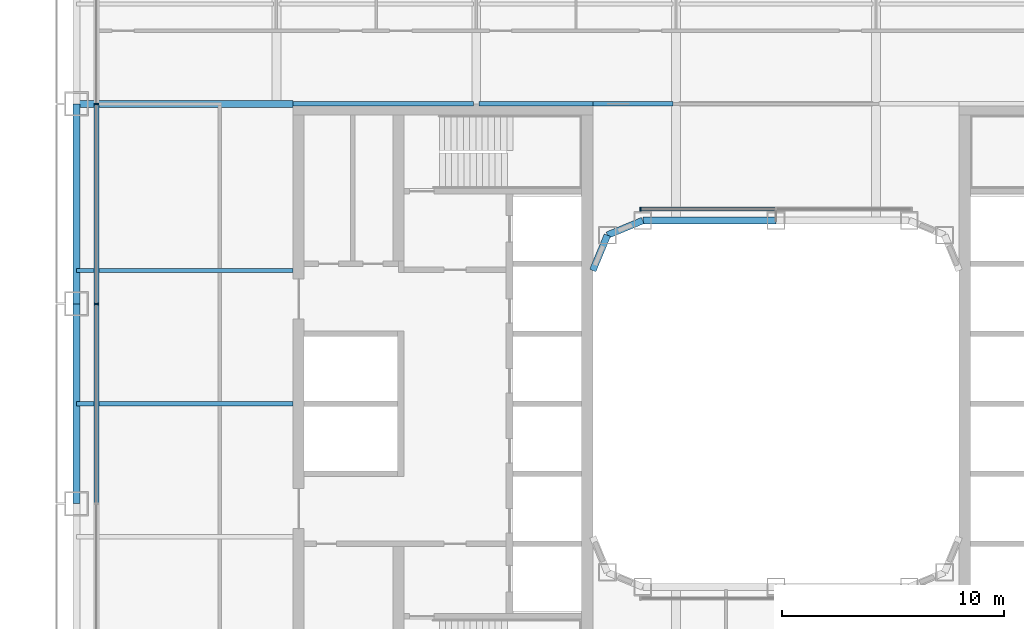
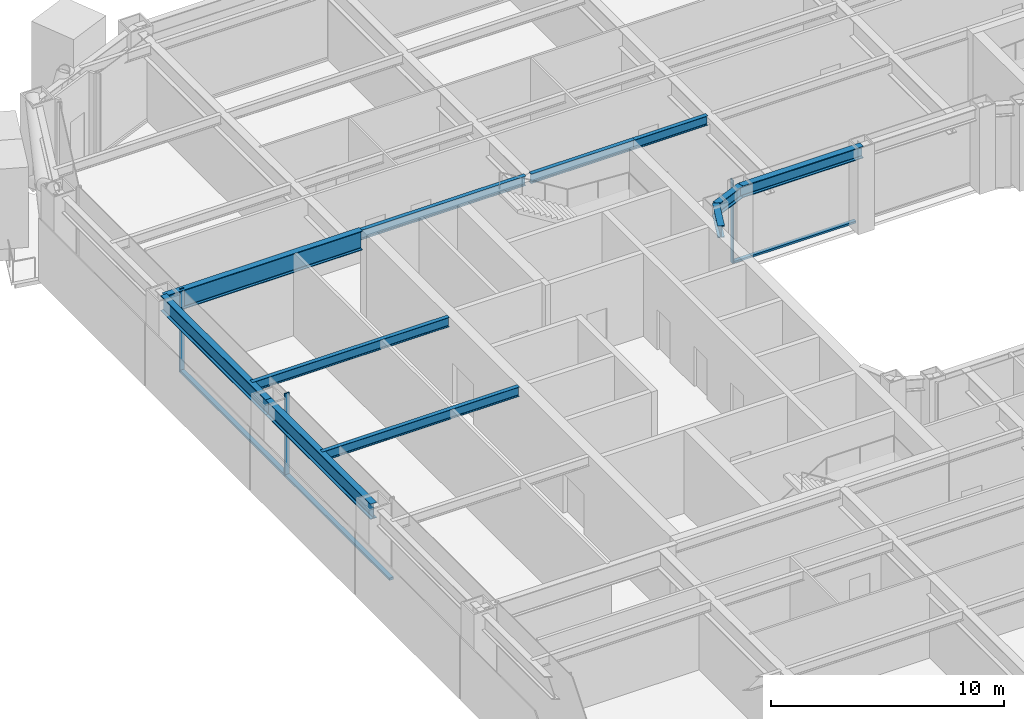
# One storey, part 6 of 29: 11 beams, 6 members, 2 elements without a shape of their own.
"""IFC4 building model written with IfcOpenShell, lengths in metres."""

import ifcopenshell
import ifcopenshell.guid

model = None  # the IFC model being written
_history = None  # IfcOwnerHistory: only IFC2X3 demands one
_inside = {}  # id of a spatial element -> (the spatial element, [elements in it])
_under = {}  # id of a project, library or spatial element -> (it, [spatial elements below it])
_declared = {}  # id of a project -> (the project, [libraries it declares])
_typed = {}  # id of a type object -> (the type object, [elements of that type])
_made_of = {}  # id of a material, layer set ... -> (it, [elements and type objects made of it])


def new_model(schema):
    """Start an empty IFC model of exactly this schema.

    Asked for "IFC4X3", IfcOpenShell would pick the latest addendum, in which some entities
    have other attributes; the version numbers below select the first issue.
    IFC2X3 requires an IfcOwnerHistory on every rooted entity: one is made here for all.
    """
    global model, _history
    if schema == "IFC4X3":
        model = ifcopenshell.file(schema_version=(4, 3, 0, 0))
    else:
        model = ifcopenshell.file(schema=schema)
    _inside.clear()
    _under.clear()
    _declared.clear()
    _typed.clear()
    _made_of.clear()
    _history = None
    if model.schema == "IFC2X3":
        org = make("IfcOrganization", Name="unknown")
        user = make(
            "IfcPersonAndOrganization",
            ThePerson=make("IfcPerson", FamilyName="unknown"),
            TheOrganization=org,
        )
        app = make(
            "IfcApplication",
            ApplicationDeveloper=org,
            Version="unknown",
            ApplicationFullName="unknown",
            ApplicationIdentifier="unknown",
        )
        _history = make(
            "IfcOwnerHistory",
            OwningUser=user,
            OwningApplication=app,
            ChangeAction="ADDED",
            CreationDate=0,
        )
    return model


def make(cls, **values):
    """One entity of the class cls with the attributes given. An attribute that is None is left unset."""
    return model.create_entity(
        cls, **{name: value for name, value in values.items() if value is not None}
    )


def rooted(cls, **values):
    """An entity with a GlobalId (a new one), such as an element, a storey or a relation."""
    return make(cls, GlobalId=ifcopenshell.guid.new(), OwnerHistory=_history, **values)


def si_unit(unit_type, name, prefix=None):
    """IfcSIUnit, for example si_unit("LENGTHUNIT", "METRE", prefix="MILLI")."""
    return make("IfcSIUnit", UnitType=unit_type, Prefix=prefix, Name=name)


def assignment(units):
    """IfcUnitAssignment: the units of a project."""
    return None if units is None else make("IfcUnitAssignment", Units=units)


def point(xyz):
    """IfcCartesianPoint."""
    return None if xyz is None else make("IfcCartesianPoint", Coordinates=xyz)


def direction(xyz):
    """IfcDirection."""
    return None if xyz is None else make("IfcDirection", DirectionRatios=xyz)


def frame(location, z_axis=None, x_axis=None):
    """IfcAxis2Placement3D, a coordinate frame: its origin and axes. An axis left out is left unset."""
    return make(
        "IfcAxis2Placement3D",
        Location=point(location),
        Axis=direction(z_axis),
        RefDirection=direction(x_axis),
    )


def frame_2d(location, x_axis=None):
    """IfcAxis2Placement2D, a coordinate frame in the plane: its origin and x axis."""
    return make(
        "IfcAxis2Placement2D", Location=point(location), RefDirection=direction(x_axis)
    )


def origin():
    """The frame at (0, 0, 0) with its axes left unset."""
    return frame((0.0, 0.0, 0.0))


def origin_2d():
    """The frame at (0, 0) in the plane with its x axis left unset."""
    return frame_2d((0.0, 0.0))


def place(relative_to, where):
    """IfcLocalPlacement: puts the frame where relative to a parent placement (None: the world)."""
    return make(
        "IfcLocalPlacement", PlacementRelTo=relative_to, RelativePlacement=where
    )


def context(
    kind, dimensions, precision=None, world=None, true_north=None, identifier=None
):
    """IfcGeometricRepresentationContext, for example the 3D "Model" context."""
    return make(
        "IfcGeometricRepresentationContext",
        ContextIdentifier=identifier,
        ContextType=kind,
        CoordinateSpaceDimension=dimensions,
        Precision=precision,
        WorldCoordinateSystem=world,
        TrueNorth=true_north,
    )


def subcontext(parent, identifier, kind, view, scale=None):
    """IfcGeometricRepresentationSubContext, for example "Body" below "Model"."""
    return make(
        "IfcGeometricRepresentationSubContext",
        ContextIdentifier=identifier,
        ContextType=kind,
        ParentContext=parent,
        TargetScale=scale,
        TargetView=view,
    )


def project(units=None, contexts=None):
    """IfcProject with its units and contexts."""
    return rooted(
        "IfcProject",
        Name="project",
        RepresentationContexts=contexts,
        UnitsInContext=assignment(units),
    )


def spatial(cls, under=None, at=None, **own):
    """A site, building, storey or space (cls), placed at a placement, below another one or the project."""
    s = rooted(cls, ObjectPlacement=at, **own)
    if under is not None:
        _under.setdefault(under.id(), (under, []))[1].append(s)
    return s


def profile(cls, at=None, kind="AREA", **sizes):
    """A parametric profile (cls). Its sizes go by their IFC names, for example OverallWidth=200.0."""
    return make(cls, ProfileType=kind, Position=at, **sizes)


def rectangle(**sizes):
    """IfcRectangleProfileDef."""
    return profile("IfcRectangleProfileDef", **sizes)


def i_section(**sizes):
    """IfcIShapeProfileDef."""
    return profile("IfcIShapeProfileDef", **sizes)


def extrude(swept, where, along, depth):
    """IfcExtrudedAreaSolid: the profile swept, set in the frame where, extruded along a direction by depth."""
    return make(
        "IfcExtrudedAreaSolid",
        SweptArea=swept,
        Position=where,
        ExtrudedDirection=direction(along),
        Depth=depth,
    )


def shape(context_of_items, identifier, shape_type, items):
    """IfcShapeRepresentation: the items that make up one representation, for example the "Body"."""
    return make(
        "IfcShapeRepresentation",
        ContextOfItems=context_of_items,
        RepresentationIdentifier=identifier,
        RepresentationType=shape_type,
        Items=items,
    )


def material(Name=None, Category=None):
    """IfcMaterial."""
    return make("IfcMaterial", Name=Name, Category=Category)


def layer(
    of_material, thickness, ventilated=None, Name=None, Category=None, Priority=None
):
    """IfcMaterialLayer: one layer of a wall or slab, of a material (None: an air gap)."""
    return make(
        "IfcMaterialLayer",
        Material=of_material,
        LayerThickness=thickness,
        IsVentilated=ventilated,
        Name=Name,
        Category=Category,
        Priority=Priority,
    )


def layer_set(layers, Name=None):
    """IfcMaterialLayerSet."""
    return make("IfcMaterialLayerSet", MaterialLayers=layers, LayerSetName=Name)


def material_profile(
    of_material, cross_section, Name=None, Category=None, Priority=None
):
    """IfcMaterialProfile: a cross section and its material."""
    return make(
        "IfcMaterialProfile",
        Name=Name,
        Material=of_material,
        Profile=cross_section,
        Priority=Priority,
        Category=Category,
    )


def profile_set(profiles, Name=None, composite=None):
    """IfcMaterialProfileSet."""
    return make(
        "IfcMaterialProfileSet",
        Name=Name,
        MaterialProfiles=profiles,
        CompositeProfile=composite,
    )


def made_of(thing, what):
    """Note that an element or type object is made of a material, layer set ...; save() writes the relation."""
    if what is not None:
        _made_of.setdefault(what.id(), (what, []))[1].append(thing)
    return thing


def type_object(cls, material=None, **own):
    """A type object (cls), such as IfcWallType, which elements share."""
    return made_of(rooted(cls, **own), material)


def element(
    cls,
    number,
    at=None,
    inside=None,
    cuts=None,
    type_object=None,
    material=None,
    context=None,
    identifier="Body",
    shape_type=None,
    held_by="IfcProductDefinitionShape",
    body=None,
    shapes=None,
    **own,
):
    """One element of the class cls, such as IfcWall. Its Tag is "e" and its number.

    at: its placement. inside: the storey or other place that contains it. cuts: it is an
    opening in that element (IfcRelVoidsElement). A single representation is given by context,
    identifier, shape_type and body (its items); several are given by shapes. held_by: the class
    of the entity that holds the representations. save() writes the other relations.
    """
    e = rooted(cls, Tag="e%d" % number, ObjectPlacement=at, **own)
    if body is not None:
        shapes = [shape(context, identifier, shape_type, body)]
    if shapes is not None:
        e.Representation = make(held_by, Representations=shapes)
    if inside is not None:
        _inside.setdefault(inside.id(), (inside, []))[1].append(e)
    if cuts is not None:
        rooted(
            "IfcRelVoidsElement", RelatingBuildingElement=cuts, RelatedOpeningElement=e
        )
    if type_object is not None:
        _typed.setdefault(type_object.id(), (type_object, []))[1].append(e)
    return made_of(e, material)


def aggregate(whole, parts):
    """IfcRelAggregates: a whole, such as a stair, and the parts it consists of."""
    return rooted("IfcRelAggregates", RelatingObject=whole, RelatedObjects=parts)


def save(model, path):
    """Write the relations noted so far, then the file.

    IfcRelAggregates (storeys below a building ...), IfcRelContainedInSpatialStructure (elements
    in a storey), IfcRelDefinesByType, IfcRelAssociatesMaterial and IfcRelDeclares: one each for
    every whole, place, type object, material and project.
    """
    for whole, parts in _under.values():
        aggregate(whole, parts)
    for where, things in _inside.values():
        rooted(
            "IfcRelContainedInSpatialStructure",
            RelatedElements=things,
            RelatingStructure=where,
        )
    for kind, things in _typed.values():
        rooted("IfcRelDefinesByType", RelatedObjects=things, RelatingType=kind)
    for what, things in _made_of.values():
        rooted("IfcRelAssociatesMaterial", RelatedObjects=things, RelatingMaterial=what)
    for by, libraries in _declared.values():
        rooted("IfcRelDeclares", RelatingContext=by, RelatedDefinitions=libraries)
    model.write(path)


model = new_model("IFC4")

# Units and contexts
model_context = context("Model", 3, precision=1e-05, world=origin(), true_north=direction((0.0, 1.0)))
body_context = subcontext(model_context, "Body", "Model", "MODEL_VIEW")
ifc_project = project(units=[si_unit("LENGTHUNIT", "METRE"), si_unit("AREAUNIT", "SQUARE_METRE"), si_unit("VOLUMEUNIT", "CUBIC_METRE"), si_unit("PLANEANGLEUNIT", "RADIAN"), si_unit("MASSUNIT", "GRAM", prefix="KILO")], contexts=[model_context])

# Site, building, storey
site_placement = place(None, origin())
site = spatial("IfcSite", under=ifc_project, at=site_placement, CompositionType="ELEMENT")
building_placement = place(site_placement, origin())
building = spatial("IfcBuilding", under=site, at=building_placement, Name="Siwar Civic Tower", CompositionType="ELEMENT")
storey_placement = place(building_placement, frame((0.0, 0.0, 49.199951171875)))
storey = spatial("IfcBuildingStorey", under=building, at=storey_placement, Name="L10", CompositionType="ELEMENT", Elevation=49.199951171875)

# Curtain wall, members
ifc_material_1 = material(Name="Aluminium and glass", Category="aluminium")
ifc_layer_1 = layer(ifc_material_1, 0.219970703125)
ifc_layer_set_1 = layer_set([ifc_layer_1], Name="Aluminium and glass")
curtain_wall_type_1 = type_object("IfcCurtainWallType", Name="ENV-CW-A", PredefinedType="NOTDEFINED", material=ifc_layer_set_1)
curtain_wall_1_placement = place(storey_placement, origin())
curtain_wall_1 = element("IfcCurtainWall", 1, at=curtain_wall_1_placement, inside=storey, type_object=curtain_wall_type_1, Name="Curtain wall A W", PredefinedType="NOTDEFINED")
ifc_material_2 = material(Name="Aluminium 6063-T6", Category="aluminium")
ifc_material_profile_1 = material_profile(ifc_material_2, rectangle(XDim=0.219970703125, YDim=0.070068359375, at=origin_2d()), Name="AL 220x70")
ifc_profile_set_1 = profile_set([ifc_material_profile_1], Name="Aluminium 6063-T6")
member_type_1 = type_object("IfcMemberType", Name="ENV-MULLION-A", PredefinedType="MULLION", material=ifc_profile_set_1)
member_1_placement = place(storey_placement, frame((-30.60009765625, 13.5, 0.0), z_axis=(0.0, 0.0, 1.0), x_axis=(1.0, 0.0, 0.0)))
member_1 = element("IfcMember", 2, at=member_1_placement, type_object=member_type_1, Name="Mullion A W 2", PredefinedType="MULLION", context=body_context, shape_type="SweptSolid", body=[
    extrude(rectangle(XDim=0.219970703125, YDim=0.070068359375, at=origin_2d()), origin(), (0.0, 0.0, 1.0), 4.35009765625),
])
member_2_placement = place(storey_placement, frame((-30.60009765625, 4.5, 0.0), z_axis=(0.0, 0.0, 1.0), x_axis=(1.0, 0.0, 0.0)))
member_2 = element("IfcMember", 3, at=member_2_placement, type_object=member_type_1, Name="Mullion A W 3", PredefinedType="MULLION", context=body_context, shape_type="SweptSolid", body=[
    extrude(rectangle(XDim=0.219970703125, YDim=0.070068359375, at=origin_2d()), origin(), (0.0, 0.0, 1.0), 4.35009765625),
])

# Curtain wall, member
ifc_material_3 = material(Name="Aluminium and glass", Category="aluminium")
ifc_layer_2 = layer(ifc_material_3, 0.179931640625)
ifc_layer_set_2 = layer_set([ifc_layer_2], Name="Aluminium and glass")
curtain_wall_type_2 = type_object("IfcCurtainWallType", Name="ENV-CW-W", PredefinedType="NOTDEFINED", material=ifc_layer_set_2)
curtain_wall_2_placement = place(storey_placement, origin())
curtain_wall_2 = element("IfcCurtainWall", 4, at=curtain_wall_2_placement, inside=storey, type_object=curtain_wall_type_2, Name="Curtain wall W WN", PredefinedType="NOTDEFINED")
ifc_material_4 = material(Name="Aluminium 6063-T6", Category="aluminium")
ifc_material_profile_2 = material_profile(ifc_material_4, rectangle(XDim=0.179931640625, YDim=0.06005859375, at=origin_2d()), Name="AL 180x60")
ifc_profile_set_2 = profile_set([ifc_material_profile_2], Name="Aluminium 6063-T6")
member_type_2 = type_object("IfcMemberType", Name="ENV-MULLION-W", PredefinedType="MULLION", material=ifc_profile_set_2)
member_3_placement = place(storey_placement, frame((-6.1015625, 8.760009765625, 0.0), z_axis=(0.0, 0.0, 1.0), x_axis=(0.0, -1.0, 0.0)))
member_3 = element("IfcMember", 5, at=member_3_placement, type_object=member_type_2, Name="Mullion W WN 3", PredefinedType="MULLION", context=body_context, shape_type="SweptSolid", body=[
    extrude(rectangle(XDim=0.179931640625, YDim=0.06005859375, at=origin_2d()), origin(), (0.0, 0.0, 1.0), 4.35009765625),
])

# Member
ifc_material_5 = material(Name="Aluminium 6063-T6", Category="aluminium")
ifc_material_profile_3 = material_profile(ifc_material_5, rectangle(XDim=0.219970703125, YDim=0.1201171875, at=origin_2d()), Name="AL 220x120")
ifc_profile_set_3 = profile_set([ifc_material_profile_3], Name="Aluminium 6063-T6")
member_type_3 = type_object("IfcMemberType", Name="ENV-TRANSOM-A", PredefinedType="USERDEFINED", material=ifc_profile_set_3)
member_4_placement = place(storey_placement, frame((-30.60009765625, 13.465087890625, 0.06005859375), z_axis=(0.0, -1.0, 0.0), x_axis=(1.0, 0.0, 0.0)))
member_4 = element("IfcMember", 6, at=member_4_placement, type_object=member_type_3, Name="Transom A W 2", ObjectType="TRANSOM", PredefinedType="USERDEFINED", context=body_context, shape_type="SweptSolid", body=[
    extrude(rectangle(XDim=0.219970703125, YDim=0.1201171875, at=origin_2d()), origin(), (0.0, 0.0, 1.0), 8.93017578125),
])

member_5_placement = place(storey_placement, frame((-30.60009765625, 4.465087890625, 0.06005859375), z_axis=(0.0, -1.0, 0.0), x_axis=(1.0, 0.0, 0.0)))
member_5 = element("IfcMember", 7, at=member_5_placement, type_object=member_type_3, Name="Transom A W 3", ObjectType="TRANSOM", PredefinedType="USERDEFINED", context=body_context, shape_type="SweptSolid", body=[
    extrude(rectangle(XDim=0.219970703125, YDim=0.1201171875, at=origin_2d()), origin(), (0.0, 0.0, 1.0), 8.93017578125),
])

aggregate(curtain_wall_1, [member_1, member_2, member_4, member_5])

ifc_material_6 = material(Name="Aluminium 6063-T6", Category="aluminium")
ifc_material_profile_4 = material_profile(ifc_material_6, rectangle(XDim=0.179931640625, YDim=0.10009765625, at=origin_2d()), Name="AL 180x100")
ifc_profile_set_4 = profile_set([ifc_material_profile_4], Name="Aluminium 6063-T6")
member_type_4 = type_object("IfcMemberType", Name="ENV-TRANSOM-W", PredefinedType="USERDEFINED", material=ifc_profile_set_4)
member_6_placement = place(storey_placement, frame((-0.030029296875, 8.760009765625, 0.050048828125), z_axis=(-1.0, 0.0, 0.0), x_axis=(0.0, -1.0, 0.0)))
member_6 = element("IfcMember", 8, at=member_6_placement, type_object=member_type_4, Name="Transom W WN 2", ObjectType="TRANSOM", PredefinedType="USERDEFINED", context=body_context, shape_type="SweptSolid", body=[
    extrude(rectangle(XDim=0.179931640625, YDim=0.10009765625, at=origin_2d()), origin(), (0.0, 0.0, 1.0), 6.04150390625),
])

aggregate(curtain_wall_2, [member_3, member_6])

# Beams
ifc_material_7 = material(Name="Steel S355", Category="steel")
ifc_material_profile_5 = material_profile(ifc_material_7, i_section(OverallWidth=0.199951171875, OverallDepth=0.5, WebThickness=0.01025390625, FlangeThickness=0.01611328125, FilletRadius=0.02099609375, at=origin_2d()), Name="IPE500")
ifc_profile_set_5 = profile_set([ifc_material_profile_5], Name="Steel S355")
beam_type_1 = type_object("IfcBeamType", Name="STR-FB-IPE500", PredefinedType="JOIST", material=ifc_profile_set_5)
for number, where, z_axis, x_axis, name in (
    (9, (-31.5, 0.0, 4.10009765625), (1.0, 0.0, 0.0), (0.0, 1.0, 0.0), "L10/bm/F033"),
    (10, (-31.5, 6.0, 4.10009765625), (1.0, 0.0, 0.0), (0.0, 1.0, 0.0), "L10/bm/F035"),
):
    element("IfcBeam", number, at=place(storey_placement, frame(where, z_axis=z_axis, x_axis=x_axis)), inside=storey, type_object=beam_type_1, Name=name, PredefinedType="JOIST", context=body_context, shape_type="SweptSolid", body=[
        extrude(i_section(OverallWidth=0.199951171875, OverallDepth=0.5, WebThickness=0.01025390625, FlangeThickness=0.01611328125, FilletRadius=0.02099609375, at=origin_2d()), origin(), (0.0, 0.0, 1.0), 9.75),
    ])
beam_1_placement = place(storey_placement, frame((-21.75, 13.5, 4.10009765625), z_axis=(1.0, 0.0, 0.0), x_axis=(0.0, 1.0, 0.0)))
element("IfcBeam", 11, at=beam_1_placement, inside=storey, type_object=beam_type_1, Name="L10/bm/F038", PredefinedType="JOIST", context=body_context, shape_type="SweptSolid", body=[
    extrude(i_section(OverallWidth=0.199951171875, OverallDepth=0.5, WebThickness=0.01025390625, FlangeThickness=0.01611328125, FilletRadius=0.02099609375, at=origin_2d()), origin(), (0.0, 0.0, 1.0), 8.1201171875),
])
beam_2_placement = place(storey_placement, frame((-13.3701171875, 13.5, 4.10009765625), z_axis=(1.0, 0.0, 0.0), x_axis=(0.0, 1.0, 0.0)))
element("IfcBeam", 12, at=beam_2_placement, inside=storey, type_object=beam_type_1, Name="L10/bm/F039", PredefinedType="JOIST", context=body_context, shape_type="SweptSolid", body=[
    extrude(i_section(OverallWidth=0.199951171875, OverallDepth=0.5, WebThickness=0.01025390625, FlangeThickness=0.01611328125, FilletRadius=0.02099609375, at=origin_2d()), origin(), (0.0, 0.0, 1.0), 5.1201171875),
])
beam_3_placement = place(storey_placement, frame((-8.25, 13.5, 4.10009765625), z_axis=(1.0, 0.0, 0.0), x_axis=(0.0, 1.0, 0.0)))
element("IfcBeam", 13, at=beam_3_placement, inside=storey, type_object=beam_type_1, Name="L10/bm/F040", PredefinedType="JOIST", context=body_context, shape_type="SweptSolid", body=[
    extrude(i_section(OverallWidth=0.199951171875, OverallDepth=0.5, WebThickness=0.01025390625, FlangeThickness=0.01611328125, FilletRadius=0.02099609375, at=origin_2d()), origin(), (0.0, 0.0, 1.0), 3.6201171875),
])
ifc_material_8 = material(Name="Steel S355", Category="steel")
ifc_material_profile_6 = material_profile(ifc_material_8, i_section(OverallWidth=0.300048828125, OverallDepth=1.0, WebThickness=0.01904296875, FlangeThickness=0.035888671875, FilletRadius=0.030029296875, at=origin_2d()), Name="HEB1000")
ifc_profile_set_6 = profile_set([ifc_material_profile_6], Name="Steel S355")
beam_type_2 = type_object("IfcBeamType", Name="STR-PG-HEB1000", PredefinedType="BEAM", material=ifc_profile_set_6)
beam_4_placement = place(storey_placement, frame((-31.5, 13.5, 3.85009765625), z_axis=(1.0, 0.0, 0.0), x_axis=(0.0, 1.0, 0.0)))
element("IfcBeam", 14, at=beam_4_placement, inside=storey, type_object=beam_type_2, Name="L10/bm/F037", PredefinedType="BEAM", context=body_context, shape_type="SweptSolid", body=[
    extrude(i_section(OverallWidth=0.300048828125, OverallDepth=1.0, WebThickness=0.01904296875, FlangeThickness=0.035888671875, FilletRadius=0.030029296875, at=origin_2d()), origin(), (0.0, 0.0, 1.0), 9.75),
])
ifc_material_9 = material(Name="Steel S355", Category="steel")
ifc_material_profile_7 = material_profile(ifc_material_9, i_section(OverallWidth=0.304931640625, OverallDepth=0.6201171875, WebThickness=0.02099609375, FlangeThickness=0.0400390625, FilletRadius=0.027099609375, at=origin_2d()), Name="HEM600")
ifc_profile_set_7 = profile_set([ifc_material_profile_7], Name="Steel S355")
beam_type_3 = type_object("IfcBeamType", Name="STR-RB-HEM600", PredefinedType="BEAM", material=ifc_profile_set_7)
beam_5_placement = place(storey_placement, frame((-7.591064453125, 7.591064453125, 4.0400390625), z_axis=(0.923901072997, 0.382631424892, 0.0), x_axis=(-0.382631424892, 0.923901072997, 0.0)))
element("IfcBeam", 15, at=beam_5_placement, inside=storey, type_object=beam_type_3, Name="L10/bm/RN0", PredefinedType="BEAM", context=body_context, shape_type="SweptSolid", body=[
    extrude(i_section(OverallWidth=0.304931640625, OverallDepth=0.6201171875, WebThickness=0.02099609375, FlangeThickness=0.0400390625, FilletRadius=0.027099609375, at=origin_2d()), origin(), (0.0, 0.0, 1.0), 1.72216796875),
])
beam_6_placement = place(storey_placement, frame((-6.0, 8.25, 4.0400390625), z_axis=(1.0, 0.0, 0.0), x_axis=(0.0, 1.0, 0.0)))
element("IfcBeam", 16, at=beam_6_placement, inside=storey, type_object=beam_type_3, Name="L10/bm/RN1", PredefinedType="BEAM", context=body_context, shape_type="SweptSolid", body=[
    extrude(i_section(OverallWidth=0.304931640625, OverallDepth=0.6201171875, WebThickness=0.02099609375, FlangeThickness=0.0400390625, FilletRadius=0.027099609375, at=origin_2d()), origin(), (0.0, 0.0, 1.0), 6.0),
])
beam_7_placement = place(storey_placement, frame((-7.591064453125, 7.591064453125, 4.0400390625), z_axis=(-0.382631424892, -0.923901072997, 0.0), x_axis=(0.923901072997, -0.382631424892, 0.0)))
element("IfcBeam", 17, at=beam_7_placement, inside=storey, type_object=beam_type_3, Name="L10/bm/RNEW", PredefinedType="BEAM", context=body_context, shape_type="SweptSolid", body=[
    extrude(i_section(OverallWidth=0.304931640625, OverallDepth=0.6201171875, WebThickness=0.02099609375, FlangeThickness=0.0400390625, FilletRadius=0.027099609375, at=origin_2d()), origin(), (0.0, 0.0, 1.0), 1.72216796875),
])
ifc_material_10 = material(Name="Steel S355", Category="steel")
ifc_material_profile_8 = material_profile(ifc_material_10, i_section(OverallWidth=0.302978515625, OverallDepth=0.81396484375, WebThickness=0.02099609375, FlangeThickness=0.0400390625, FilletRadius=0.030029296875, at=origin_2d()), Name="HEM800")
ifc_profile_set_8 = profile_set([ifc_material_profile_8], Name="Steel S355")
beam_type_4 = type_object("IfcBeamType", Name="STR-SB-HEM800", PredefinedType="BEAM", material=ifc_profile_set_8)
for number, where, z_axis, x_axis, name in (
    (18, (-31.5, 13.5, 3.943115234375), (0.0, -1.0, 0.0), (1.0, 0.0, 0.0), "L10/bm/SW-1"),
    (19, (-31.5, 4.5, 3.943115234375), (0.0, -1.0, 0.0), (1.0, 0.0, 0.0), "L10/bm/SW-2"),
):
    element("IfcBeam", number, at=place(storey_placement, frame(where, z_axis=z_axis, x_axis=x_axis)), inside=storey, type_object=beam_type_4, Name=name, PredefinedType="BEAM", context=body_context, shape_type="SweptSolid", body=[
        extrude(i_section(OverallWidth=0.302978515625, OverallDepth=0.81396484375, WebThickness=0.02099609375, FlangeThickness=0.0400390625, FilletRadius=0.030029296875, at=origin_2d()), origin(), (0.0, 0.0, 1.0), 9.0),
    ])

save(model, "model.ifc")
